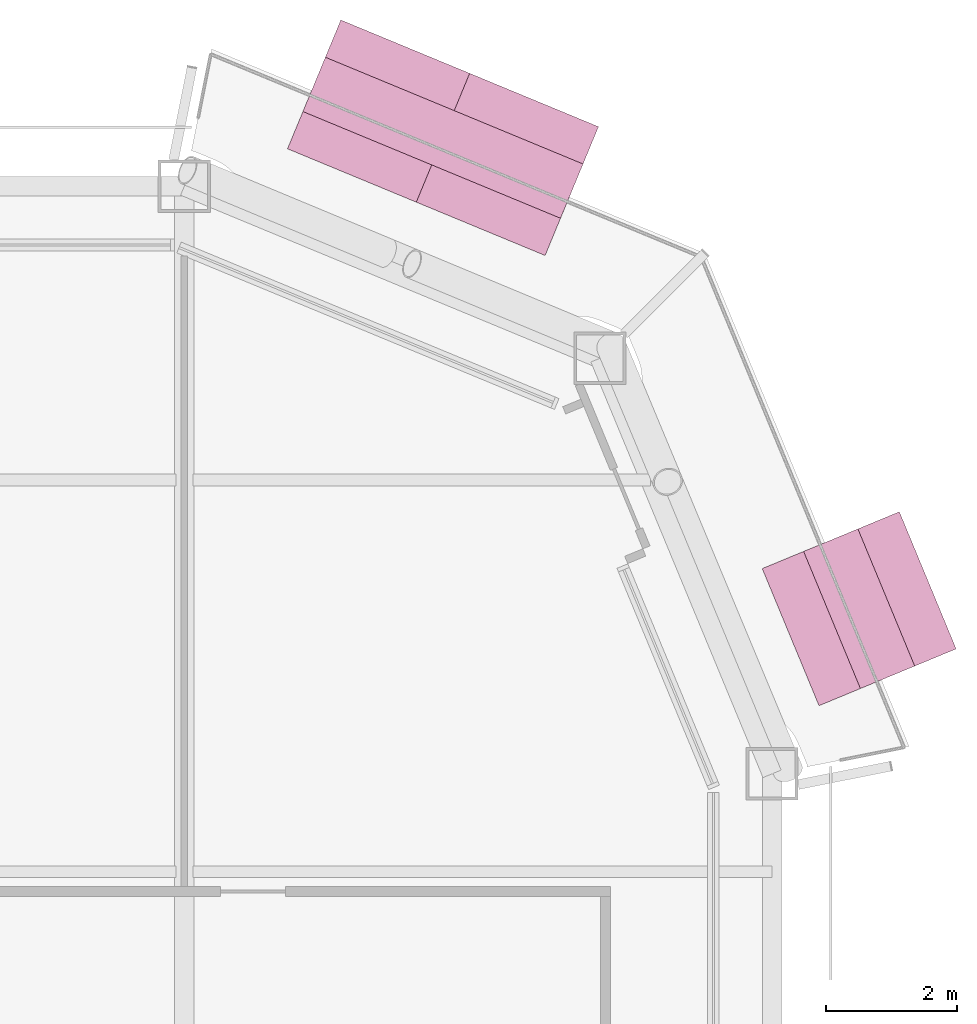
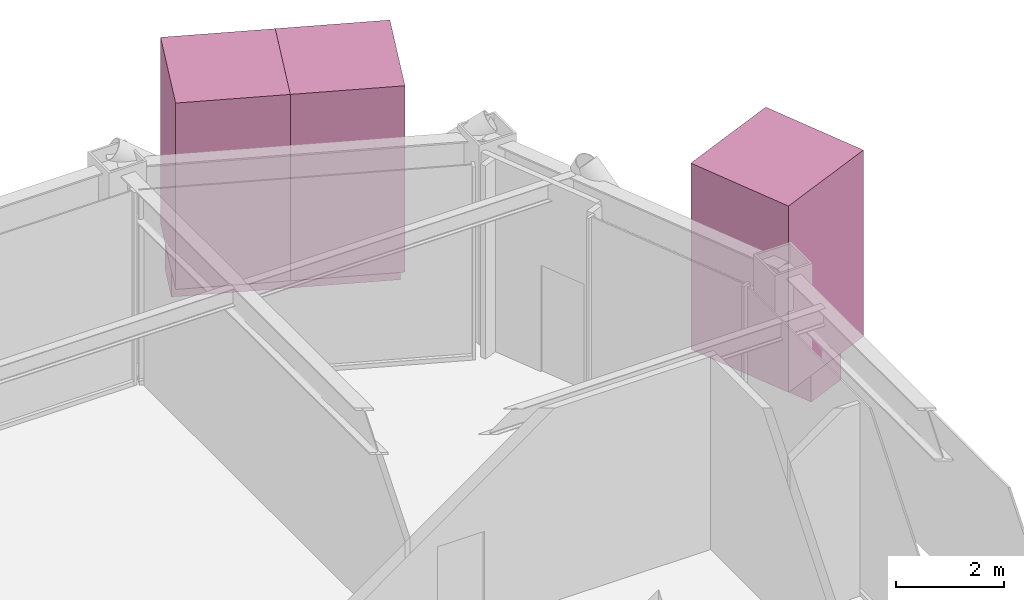
# One storey, part 23 of 23: 5 furnishings.
"""IFC4 building model written with IfcOpenShell, lengths in metres."""

import ifcopenshell
import ifcopenshell.guid

model = None  # the IFC model being written
_history = None  # IfcOwnerHistory: only IFC2X3 demands one
_inside = {}  # id of a spatial element -> (the spatial element, [elements in it])
_under = {}  # id of a project, library or spatial element -> (it, [spatial elements below it])
_declared = {}  # id of a project -> (the project, [libraries it declares])
_typed = {}  # id of a type object -> (the type object, [elements of that type])
_made_of = {}  # id of a material, layer set ... -> (it, [elements and type objects made of it])


def new_model(schema):
    """Start an empty IFC model of exactly this schema.

    Asked for "IFC4X3", IfcOpenShell would pick the latest addendum, in which some entities
    have other attributes; the version numbers below select the first issue.
    IFC2X3 requires an IfcOwnerHistory on every rooted entity: one is made here for all.
    """
    global model, _history
    if schema == "IFC4X3":
        model = ifcopenshell.file(schema_version=(4, 3, 0, 0))
    else:
        model = ifcopenshell.file(schema=schema)
    _inside.clear()
    _under.clear()
    _declared.clear()
    _typed.clear()
    _made_of.clear()
    _history = None
    if model.schema == "IFC2X3":
        org = make("IfcOrganization", Name="unknown")
        user = make(
            "IfcPersonAndOrganization",
            ThePerson=make("IfcPerson", FamilyName="unknown"),
            TheOrganization=org,
        )
        app = make(
            "IfcApplication",
            ApplicationDeveloper=org,
            Version="unknown",
            ApplicationFullName="unknown",
            ApplicationIdentifier="unknown",
        )
        _history = make(
            "IfcOwnerHistory",
            OwningUser=user,
            OwningApplication=app,
            ChangeAction="ADDED",
            CreationDate=0,
        )
    return model


def make(cls, **values):
    """One entity of the class cls with the attributes given. An attribute that is None is left unset."""
    return model.create_entity(
        cls, **{name: value for name, value in values.items() if value is not None}
    )


def rooted(cls, **values):
    """An entity with a GlobalId (a new one), such as an element, a storey or a relation."""
    return make(cls, GlobalId=ifcopenshell.guid.new(), OwnerHistory=_history, **values)


def si_unit(unit_type, name, prefix=None):
    """IfcSIUnit, for example si_unit("LENGTHUNIT", "METRE", prefix="MILLI")."""
    return make("IfcSIUnit", UnitType=unit_type, Prefix=prefix, Name=name)


def assignment(units):
    """IfcUnitAssignment: the units of a project."""
    return None if units is None else make("IfcUnitAssignment", Units=units)


def point(xyz):
    """IfcCartesianPoint."""
    return None if xyz is None else make("IfcCartesianPoint", Coordinates=xyz)


def direction(xyz):
    """IfcDirection."""
    return None if xyz is None else make("IfcDirection", DirectionRatios=xyz)


def frame(location, z_axis=None, x_axis=None):
    """IfcAxis2Placement3D, a coordinate frame: its origin and axes. An axis left out is left unset."""
    return make(
        "IfcAxis2Placement3D",
        Location=point(location),
        Axis=direction(z_axis),
        RefDirection=direction(x_axis),
    )


def frame_2d(location, x_axis=None):
    """IfcAxis2Placement2D, a coordinate frame in the plane: its origin and x axis."""
    return make(
        "IfcAxis2Placement2D", Location=point(location), RefDirection=direction(x_axis)
    )


def origin():
    """The frame at (0, 0, 0) with its axes left unset."""
    return frame((0.0, 0.0, 0.0))


def origin_2d():
    """The frame at (0, 0) in the plane with its x axis left unset."""
    return frame_2d((0.0, 0.0))


def place(relative_to, where):
    """IfcLocalPlacement: puts the frame where relative to a parent placement (None: the world)."""
    return make(
        "IfcLocalPlacement", PlacementRelTo=relative_to, RelativePlacement=where
    )


def context(
    kind, dimensions, precision=None, world=None, true_north=None, identifier=None
):
    """IfcGeometricRepresentationContext, for example the 3D "Model" context."""
    return make(
        "IfcGeometricRepresentationContext",
        ContextIdentifier=identifier,
        ContextType=kind,
        CoordinateSpaceDimension=dimensions,
        Precision=precision,
        WorldCoordinateSystem=world,
        TrueNorth=true_north,
    )


def subcontext(parent, identifier, kind, view, scale=None):
    """IfcGeometricRepresentationSubContext, for example "Body" below "Model"."""
    return make(
        "IfcGeometricRepresentationSubContext",
        ContextIdentifier=identifier,
        ContextType=kind,
        ParentContext=parent,
        TargetScale=scale,
        TargetView=view,
    )


def project(units=None, contexts=None):
    """IfcProject with its units and contexts."""
    return rooted(
        "IfcProject",
        Name="project",
        RepresentationContexts=contexts,
        UnitsInContext=assignment(units),
    )


def spatial(cls, under=None, at=None, **own):
    """A site, building, storey or space (cls), placed at a placement, below another one or the project."""
    s = rooted(cls, ObjectPlacement=at, **own)
    if under is not None:
        _under.setdefault(under.id(), (under, []))[1].append(s)
    return s


def profile(cls, at=None, kind="AREA", **sizes):
    """A parametric profile (cls). Its sizes go by their IFC names, for example OverallWidth=200.0."""
    return make(cls, ProfileType=kind, Position=at, **sizes)


def rectangle(**sizes):
    """IfcRectangleProfileDef."""
    return profile("IfcRectangleProfileDef", **sizes)


def extrude(swept, where, along, depth):
    """IfcExtrudedAreaSolid: the profile swept, set in the frame where, extruded along a direction by depth."""
    return make(
        "IfcExtrudedAreaSolid",
        SweptArea=swept,
        Position=where,
        ExtrudedDirection=direction(along),
        Depth=depth,
    )


def shape(context_of_items, identifier, shape_type, items):
    """IfcShapeRepresentation: the items that make up one representation, for example the "Body"."""
    return make(
        "IfcShapeRepresentation",
        ContextOfItems=context_of_items,
        RepresentationIdentifier=identifier,
        RepresentationType=shape_type,
        Items=items,
    )


def material(Name=None, Category=None):
    """IfcMaterial."""
    return make("IfcMaterial", Name=Name, Category=Category)


def made_of(thing, what):
    """Note that an element or type object is made of a material, layer set ...; save() writes the relation."""
    if what is not None:
        _made_of.setdefault(what.id(), (what, []))[1].append(thing)
    return thing


def type_object(cls, material=None, **own):
    """A type object (cls), such as IfcWallType, which elements share."""
    return made_of(rooted(cls, **own), material)


def element(
    cls,
    number,
    at=None,
    inside=None,
    cuts=None,
    type_object=None,
    material=None,
    context=None,
    identifier="Body",
    shape_type=None,
    held_by="IfcProductDefinitionShape",
    body=None,
    shapes=None,
    **own,
):
    """One element of the class cls, such as IfcWall. Its Tag is "e" and its number.

    at: its placement. inside: the storey or other place that contains it. cuts: it is an
    opening in that element (IfcRelVoidsElement). A single representation is given by context,
    identifier, shape_type and body (its items); several are given by shapes. held_by: the class
    of the entity that holds the representations. save() writes the other relations.
    """
    e = rooted(cls, Tag="e%d" % number, ObjectPlacement=at, **own)
    if body is not None:
        shapes = [shape(context, identifier, shape_type, body)]
    if shapes is not None:
        e.Representation = make(held_by, Representations=shapes)
    if inside is not None:
        _inside.setdefault(inside.id(), (inside, []))[1].append(e)
    if cuts is not None:
        rooted(
            "IfcRelVoidsElement", RelatingBuildingElement=cuts, RelatedOpeningElement=e
        )
    if type_object is not None:
        _typed.setdefault(type_object.id(), (type_object, []))[1].append(e)
    return made_of(e, material)


def aggregate(whole, parts):
    """IfcRelAggregates: a whole, such as a stair, and the parts it consists of."""
    return rooted("IfcRelAggregates", RelatingObject=whole, RelatedObjects=parts)


def save(model, path):
    """Write the relations noted so far, then the file.

    IfcRelAggregates (storeys below a building ...), IfcRelContainedInSpatialStructure (elements
    in a storey), IfcRelDefinesByType, IfcRelAssociatesMaterial and IfcRelDeclares: one each for
    every whole, place, type object, material and project.
    """
    for whole, parts in _under.values():
        aggregate(whole, parts)
    for where, things in _inside.values():
        rooted(
            "IfcRelContainedInSpatialStructure",
            RelatedElements=things,
            RelatingStructure=where,
        )
    for kind, things in _typed.values():
        rooted("IfcRelDefinesByType", RelatedObjects=things, RelatingType=kind)
    for what, things in _made_of.values():
        rooted("IfcRelAssociatesMaterial", RelatedObjects=things, RelatingMaterial=what)
    for by, libraries in _declared.values():
        rooted("IfcRelDeclares", RelatingContext=by, RelatedDefinitions=libraries)
    model.write(path)


model = new_model("IFC4")

# Units and contexts
model_context = context("Model", 3, precision=1e-05, world=origin(), true_north=direction((0.0, 1.0)))
body_context = subcontext(model_context, "Body", "Model", "MODEL_VIEW")
ifc_project = project(units=[si_unit("LENGTHUNIT", "METRE"), si_unit("AREAUNIT", "SQUARE_METRE"), si_unit("VOLUMEUNIT", "CUBIC_METRE"), si_unit("PLANEANGLEUNIT", "RADIAN"), si_unit("MASSUNIT", "GRAM", prefix="KILO")], contexts=[model_context])

# Site, building, storey
site_placement = place(None, origin())
site = spatial("IfcSite", under=ifc_project, at=site_placement, CompositionType="ELEMENT")
building_placement = place(site_placement, origin())
building = spatial("IfcBuilding", under=site, at=building_placement, Name="Siwar Civic Tower", CompositionType="ELEMENT")
storey_placement = place(building_placement, frame((0.0, 0.0, 260.199951171875)))
storey = spatial("IfcBuildingStorey", under=building, at=storey_placement, Name="L56", CompositionType="ELEMENT", Elevation=260.199951171875)

# Furnishings
ifc_material_1 = material(Name="Planting soil and foliage")
furnishing_element_type_1 = type_object("IfcFurnishingElementType", Name="ENV-PLANTER", material=ifc_material_1)
furnishing_1_placement = place(storey_placement, frame((28.333984375, 20.5283203125, 0.0), z_axis=(0.0, 0.0, 1.0), x_axis=(-0.382683432365, 0.923879532511, 0.0)))
element("IfcFurnishingElement", 1, at=furnishing_1_placement, inside=storey, type_object=furnishing_element_type_1, Name="PLANTER NE 1", context=body_context, shape_type="SweptSolid", body=[
    extrude(rectangle(XDim=2.273193359375, YDim=0.89990234375, at=origin_2d()), origin(), (0.0, 0.0, 1.0), 0.60009765625),
])
furnishing_2_placement = place(storey_placement, frame((21.960205078125, 27.740966796875, 0.0), z_axis=(0.0, 0.0, 1.0), x_axis=(-0.923879532511, 0.382683432365, 0.0)))
element("IfcFurnishingElement", 2, at=furnishing_2_placement, inside=storey, type_object=furnishing_element_type_1, Name="PLANTER NE 2", context=body_context, shape_type="SweptSolid", body=[
    extrude(rectangle(XDim=4.270751953125, YDim=0.89990234375, at=origin_2d()), origin(), (0.0, 0.0, 1.0), 0.60009765625),
])
ifc_material_2 = material(Name="Planting soil and foliage")
furnishing_element_type_2 = type_object("IfcFurnishingElementType", Name="ENV-TREE", material=ifc_material_2)
furnishing_3_placement = place(storey_placement, frame((28.333984375, 20.5283203125, 0.60009765625), z_axis=(0.0, 0.0, 1.0), x_axis=(-0.382683432365, 0.923879532511, 0.0)))
element("IfcFurnishingElement", 3, at=furnishing_3_placement, inside=storey, type_object=furnishing_element_type_2, Name="PLANTER (TREE) NE 1.1", context=body_context, shape_type="SweptSolid", body=[
    extrude(rectangle(XDim=2.273193359375, YDim=2.273193359375, at=origin_2d()), origin(), (0.0, 0.0, 1.0), 4.199951171875),
])
for number, where, z_axis, x_axis, name in (
    (4, (22.94677734375, 27.332275390625, 0.60009765625), (0.0, 0.0, 1.0), (-0.923879532511, 0.382683432365, 0.0), "PLANTER (TREE) NE 2.1"),
    (5, (20.973876953125, 28.1494140625, 0.60009765625), (0.0, 0.0, 1.0), (-0.923879532511, 0.382683432365, 0.0), "PLANTER (TREE) NE 2.2"),
):
    element("IfcFurnishingElement", number, at=place(storey_placement, frame(where, z_axis=z_axis, x_axis=x_axis)), inside=storey, type_object=furnishing_element_type_2, Name=name, context=body_context, shape_type="SweptSolid", body=[
        extrude(rectangle(XDim=2.13525390625, YDim=2.13525390625, at=origin_2d()), origin(), (0.0, 0.0, 1.0), 4.199951171875),
    ])

save(model, "model.ifc")
